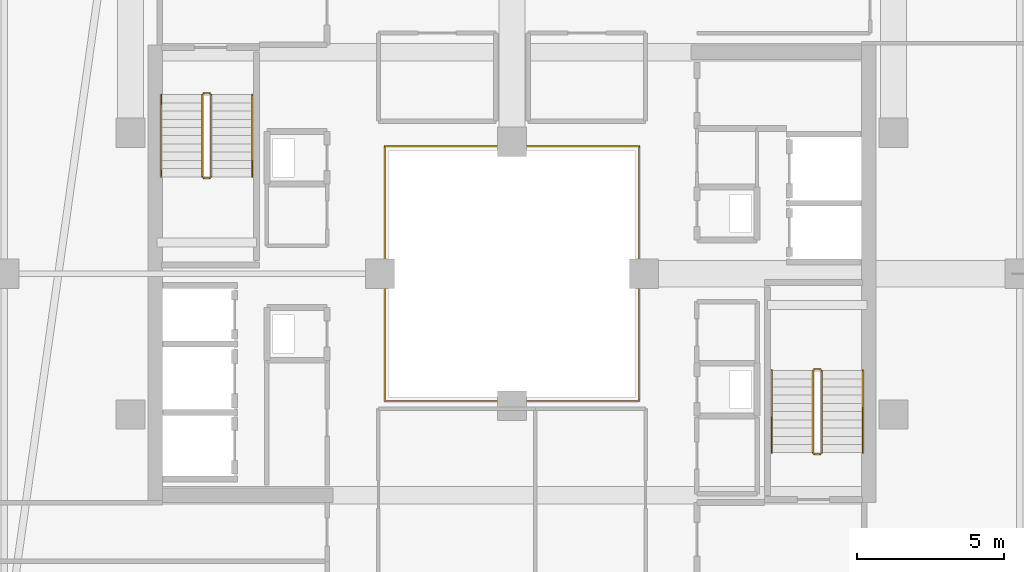
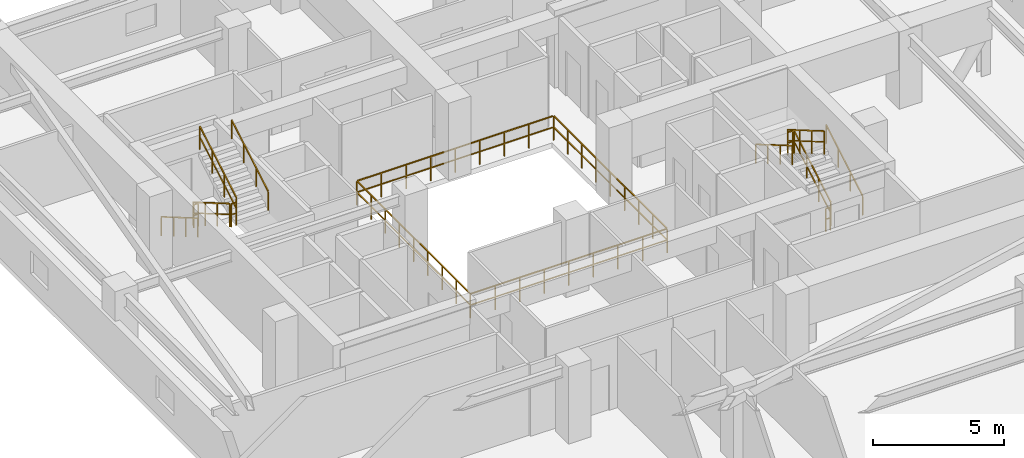
# One storey, part 33 of 34: 13 railings.
"""IFC4 building model written with IfcOpenShell, lengths in metres."""

from ifc_helpers import new_model, si_unit, direction, frame, origin, origin_2d, place, context, subcontext, project, spatial, rectangle, extrude, material, type_object, element, save


model = new_model("IFC4")

# Units and contexts
model_context = context("Model", 3, precision=1e-05, world=origin(), true_north=direction((0.0, 1.0)))
body_context = subcontext(model_context, "Body", "Model", "MODEL_VIEW")
ifc_project = project(units=[si_unit("LENGTHUNIT", "METRE"), si_unit("AREAUNIT", "SQUARE_METRE"), si_unit("VOLUMEUNIT", "CUBIC_METRE"), si_unit("PLANEANGLEUNIT", "RADIAN"), si_unit("MASSUNIT", "GRAM", prefix="KILO")], contexts=[model_context])

# Site, building, storey
site_placement = place(None, origin())
site = spatial("IfcSite", under=ifc_project, at=site_placement, CompositionType="ELEMENT")
building_placement = place(site_placement, origin())
building = spatial("IfcBuilding", under=site, at=building_placement, Name="Thornwick Lancets Civic Towers", CompositionType="ELEMENT")
storey_placement = place(building_placement, frame((0.0, 0.0, 251.10009765625)))
storey = spatial("IfcBuildingStorey", under=building, at=storey_placement, Name="L67", CompositionType="ELEMENT", Elevation=251.10009765625)

# Railings
ifc_material_1 = material(Name="Laminated glass and bronze steel S355", Category="steel")
railing_type_1 = type_object("IfcRailingType", Name="RAIL_ATRIUM_GUARD", PredefinedType="BALUSTRADE", material=ifc_material_1)
railing_1_placement = place(storey_placement, frame((84.159912109375, 22.659912109375, 0.0)))
element("IfcRailing", 1, at=railing_1_placement, inside=storey, type_object=railing_type_1, Name="L67 Tower B Central Atrium Guard Balustrade", PredefinedType="BALUSTRADE", context=body_context, shape_type="SweptSolid", body=[
    extrude(rectangle(XDim=0.048095703125, YDim=0.048095703125, at=origin_2d()), frame((0.0, 0.0, 1.1259765625), z_axis=(1.0, 0.0, 0.0), x_axis=(0.0, 1.0, 0.0)), (0.0, 0.0, 1.0), 8.64892578125),
    extrude(rectangle(XDim=0.0419921875, YDim=0.0419921875, at=origin_2d()), frame((0.03759765625, 0.0, 0.597900390625), z_axis=(1.0, 0.0, 0.0), x_axis=(0.0, 1.0, 0.0)), (0.0, 0.0, 1.0), 1.010009765625),
    extrude(rectangle(XDim=0.0419921875, YDim=0.0419921875, at=origin_2d()), frame((1.12255859375, 0.0, 0.597900390625), z_axis=(1.0, 0.0, 0.0), x_axis=(0.0, 1.0, 0.0)), (0.0, 0.0, 1.0), 1.010009765625),
    extrude(rectangle(XDim=0.0419921875, YDim=0.0419921875, at=origin_2d()), frame((2.20751953125, 0.0, 0.597900390625), z_axis=(1.0, 0.0, 0.0), x_axis=(0.0, 1.0, 0.0)), (0.0, 0.0, 1.0), 1.010009765625),
    extrude(rectangle(XDim=0.0419921875, YDim=0.0419921875, at=origin_2d()), frame((3.29248046875, 0.0, 0.597900390625), z_axis=(1.0, 0.0, 0.0), x_axis=(0.0, 1.0, 0.0)), (0.0, 0.0, 1.0), 1.010009765625),
    extrude(rectangle(XDim=0.0419921875, YDim=0.0419921875, at=origin_2d()), frame((4.377685546875, 0.0, 0.597900390625), z_axis=(1.0, 0.0, 0.0), x_axis=(0.0, 1.0, 0.0)), (0.0, 0.0, 1.0), 1.010009765625),
    extrude(rectangle(XDim=0.0419921875, YDim=0.0419921875, at=origin_2d()), frame((5.462646484375, 0.0, 0.597900390625), z_axis=(1.0, 0.0, 0.0), x_axis=(0.0, 1.0, 0.0)), (0.0, 0.0, 1.0), 1.010009765625),
    extrude(rectangle(XDim=0.0419921875, YDim=0.0419921875, at=origin_2d()), frame((6.547607421875, 0.0, 0.597900390625), z_axis=(1.0, 0.0, 0.0), x_axis=(0.0, 1.0, 0.0)), (0.0, 0.0, 1.0), 1.010009765625),
    extrude(rectangle(XDim=0.0419921875, YDim=0.0419921875, at=origin_2d()), frame((7.632568359375, 0.0, 0.597900390625), z_axis=(1.0, 0.0, 0.0), x_axis=(0.0, 1.0, 0.0)), (0.0, 0.0, 1.0), 1.010009765625),
    extrude(rectangle(XDim=0.048095703125, YDim=0.048095703125, at=origin_2d()), frame((8.68017578125, 0.03125, 1.1259765625), z_axis=(0.0, 1.0, 0.0), x_axis=(-1.0, 0.0, 0.0)), (0.0, 0.0, 1.0), 8.61767578125),
    extrude(rectangle(XDim=0.0419921875, YDim=0.0419921875, at=origin_2d()), frame((8.68017578125, 0.03759765625, 0.597900390625), z_axis=(0.0, 1.0, 0.0), x_axis=(-1.0, 0.0, 0.0)), (0.0, 0.0, 1.0), 1.010009765625),
    extrude(rectangle(XDim=0.0419921875, YDim=0.0419921875, at=origin_2d()), frame((8.68017578125, 1.12255859375, 0.597900390625), z_axis=(0.0, 1.0, 0.0), x_axis=(-1.0, 0.0, 0.0)), (0.0, 0.0, 1.0), 1.010009765625),
    extrude(rectangle(XDim=0.0419921875, YDim=0.0419921875, at=origin_2d()), frame((8.68017578125, 2.20751953125, 0.597900390625), z_axis=(0.0, 1.0, 0.0), x_axis=(-1.0, 0.0, 0.0)), (0.0, 0.0, 1.0), 1.010009765625),
    extrude(rectangle(XDim=0.0419921875, YDim=0.0419921875, at=origin_2d()), frame((8.68017578125, 3.29248046875, 0.597900390625), z_axis=(0.0, 1.0, 0.0), x_axis=(-1.0, 0.0, 0.0)), (0.0, 0.0, 1.0), 1.010009765625),
    extrude(rectangle(XDim=0.0419921875, YDim=0.0419921875, at=origin_2d()), frame((8.68017578125, 4.377685546875, 0.597900390625), z_axis=(0.0, 1.0, 0.0), x_axis=(-1.0, 0.0, 0.0)), (0.0, 0.0, 1.0), 1.010009765625),
    extrude(rectangle(XDim=0.0419921875, YDim=0.0419921875, at=origin_2d()), frame((8.68017578125, 5.462646484375, 0.597900390625), z_axis=(0.0, 1.0, 0.0), x_axis=(-1.0, 0.0, 0.0)), (0.0, 0.0, 1.0), 1.010009765625),
    extrude(rectangle(XDim=0.0419921875, YDim=0.0419921875, at=origin_2d()), frame((8.68017578125, 6.547607421875, 0.597900390625), z_axis=(0.0, 1.0, 0.0), x_axis=(-1.0, 0.0, 0.0)), (0.0, 0.0, 1.0), 1.010009765625),
    extrude(rectangle(XDim=0.0419921875, YDim=0.0419921875, at=origin_2d()), frame((8.68017578125, 7.632568359375, 0.597900390625), z_axis=(0.0, 1.0, 0.0), x_axis=(-1.0, 0.0, 0.0)), (0.0, 0.0, 1.0), 1.010009765625),
    extrude(rectangle(XDim=0.048095703125, YDim=0.048095703125, at=origin_2d()), frame((8.64892578125, 8.68017578125, 1.1259765625), z_axis=(-1.0, 0.0, 0.0), x_axis=(0.0, -1.0, 0.0)), (0.0, 0.0, 1.0), 8.61767578125),
    extrude(rectangle(XDim=0.0419921875, YDim=0.0419921875, at=origin_2d()), frame((8.642578125, 8.68017578125, 0.597900390625), z_axis=(-1.0, 0.0, 0.0), x_axis=(0.0, -1.0, 0.0)), (0.0, 0.0, 1.0), 1.010009765625),
    extrude(rectangle(XDim=0.0419921875, YDim=0.0419921875, at=origin_2d()), frame((7.5576171875, 8.68017578125, 0.597900390625), z_axis=(-1.0, 0.0, 0.0), x_axis=(0.0, -1.0, 0.0)), (0.0, 0.0, 1.0), 1.010009765625),
    extrude(rectangle(XDim=0.0419921875, YDim=0.0419921875, at=origin_2d()), frame((6.47265625, 8.68017578125, 0.597900390625), z_axis=(-1.0, 0.0, 0.0), x_axis=(0.0, -1.0, 0.0)), (0.0, 0.0, 1.0), 1.010009765625),
    extrude(rectangle(XDim=0.0419921875, YDim=0.0419921875, at=origin_2d()), frame((5.3876953125, 8.68017578125, 0.597900390625), z_axis=(-1.0, 0.0, 0.0), x_axis=(0.0, -1.0, 0.0)), (0.0, 0.0, 1.0), 1.010009765625),
    extrude(rectangle(XDim=0.0419921875, YDim=0.0419921875, at=origin_2d()), frame((4.302490234375, 8.68017578125, 0.597900390625), z_axis=(-1.0, 0.0, 0.0), x_axis=(0.0, -1.0, 0.0)), (0.0, 0.0, 1.0), 1.010009765625),
    extrude(rectangle(XDim=0.0419921875, YDim=0.0419921875, at=origin_2d()), frame((3.217529296875, 8.68017578125, 0.597900390625), z_axis=(-1.0, 0.0, 0.0), x_axis=(0.0, -1.0, 0.0)), (0.0, 0.0, 1.0), 1.010009765625),
    extrude(rectangle(XDim=0.0419921875, YDim=0.0419921875, at=origin_2d()), frame((2.132568359375, 8.68017578125, 0.597900390625), z_axis=(-1.0, 0.0, 0.0), x_axis=(0.0, -1.0, 0.0)), (0.0, 0.0, 1.0), 1.010009765625),
    extrude(rectangle(XDim=0.0419921875, YDim=0.0419921875, at=origin_2d()), frame((1.047607421875, 8.68017578125, 0.597900390625), z_axis=(-1.0, 0.0, 0.0), x_axis=(0.0, -1.0, 0.0)), (0.0, 0.0, 1.0), 1.010009765625),
    extrude(rectangle(XDim=0.048095703125, YDim=0.048095703125, at=origin_2d()), frame((0.0, 8.64892578125, 1.1259765625), z_axis=(0.0, -1.0, 0.0), x_axis=(1.0, 0.0, 0.0)), (0.0, 0.0, 1.0), 8.64892578125),
    extrude(rectangle(XDim=0.0419921875, YDim=0.0419921875, at=origin_2d()), frame((0.0, 8.642578125, 0.597900390625), z_axis=(0.0, -1.0, 0.0), x_axis=(1.0, 0.0, 0.0)), (0.0, 0.0, 1.0), 1.010009765625),
    extrude(rectangle(XDim=0.0419921875, YDim=0.0419921875, at=origin_2d()), frame((0.0, 7.5576171875, 0.597900390625), z_axis=(0.0, -1.0, 0.0), x_axis=(1.0, 0.0, 0.0)), (0.0, 0.0, 1.0), 1.010009765625),
    extrude(rectangle(XDim=0.0419921875, YDim=0.0419921875, at=origin_2d()), frame((0.0, 6.47265625, 0.597900390625), z_axis=(0.0, -1.0, 0.0), x_axis=(1.0, 0.0, 0.0)), (0.0, 0.0, 1.0), 1.010009765625),
    extrude(rectangle(XDim=0.0419921875, YDim=0.0419921875, at=origin_2d()), frame((0.0, 5.3876953125, 0.597900390625), z_axis=(0.0, -1.0, 0.0), x_axis=(1.0, 0.0, 0.0)), (0.0, 0.0, 1.0), 1.010009765625),
    extrude(rectangle(XDim=0.0419921875, YDim=0.0419921875, at=origin_2d()), frame((0.0, 4.302490234375, 0.597900390625), z_axis=(0.0, -1.0, 0.0), x_axis=(1.0, 0.0, 0.0)), (0.0, 0.0, 1.0), 1.010009765625),
    extrude(rectangle(XDim=0.0419921875, YDim=0.0419921875, at=origin_2d()), frame((0.0, 3.217529296875, 0.597900390625), z_axis=(0.0, -1.0, 0.0), x_axis=(1.0, 0.0, 0.0)), (0.0, 0.0, 1.0), 1.010009765625),
    extrude(rectangle(XDim=0.0419921875, YDim=0.0419921875, at=origin_2d()), frame((0.0, 2.132568359375, 0.597900390625), z_axis=(0.0, -1.0, 0.0), x_axis=(1.0, 0.0, 0.0)), (0.0, 0.0, 1.0), 1.010009765625),
    extrude(rectangle(XDim=0.0419921875, YDim=0.0419921875, at=origin_2d()), frame((0.0, 1.047607421875, 0.597900390625), z_axis=(0.0, -1.0, 0.0), x_axis=(1.0, 0.0, 0.0)), (0.0, 0.0, 1.0), 1.010009765625),
    extrude(rectangle(XDim=0.0419921875, YDim=0.0419921875, at=origin_2d()), origin(), (0.0, 0.0, 1.0), 1.095703125),
    extrude(rectangle(XDim=0.0419921875, YDim=0.0419921875, at=origin_2d()), frame((1.0849609375, 0.0, 0.0)), (0.0, 0.0, 1.0), 1.095703125),
    extrude(rectangle(XDim=0.0419921875, YDim=0.0419921875, at=origin_2d()), frame((2.169921875, 0.0, 0.0)), (0.0, 0.0, 1.0), 1.095703125),
    extrude(rectangle(XDim=0.0419921875, YDim=0.0419921875, at=origin_2d()), frame((3.255126953125, 0.0, 0.0)), (0.0, 0.0, 1.0), 1.095703125),
    extrude(rectangle(XDim=0.0419921875, YDim=0.0419921875, at=origin_2d()), frame((4.340087890625, 0.0, 0.0)), (0.0, 0.0, 1.0), 1.095703125),
    extrude(rectangle(XDim=0.0419921875, YDim=0.0419921875, at=origin_2d()), frame((5.425048828125, 0.0, 0.0)), (0.0, 0.0, 1.0), 1.095703125),
    extrude(rectangle(XDim=0.0419921875, YDim=0.0419921875, at=origin_2d()), frame((6.51025390625, 0.0, 0.0)), (0.0, 0.0, 1.0), 1.095703125),
    extrude(rectangle(XDim=0.0419921875, YDim=0.0419921875, at=origin_2d()), frame((7.59521484375, 0.0, 0.0)), (0.0, 0.0, 1.0), 1.095703125),
    extrude(rectangle(XDim=0.0419921875, YDim=0.0419921875, at=origin_2d()), frame((8.68017578125, 0.0, 0.0)), (0.0, 0.0, 1.0), 1.095703125),
    extrude(rectangle(XDim=0.0419921875, YDim=0.0419921875, at=origin_2d()), frame((8.68017578125, 1.0849609375, 0.0)), (0.0, 0.0, 1.0), 1.095703125),
    extrude(rectangle(XDim=0.0419921875, YDim=0.0419921875, at=origin_2d()), frame((8.68017578125, 2.169921875, 0.0)), (0.0, 0.0, 1.0), 1.095703125),
    extrude(rectangle(XDim=0.0419921875, YDim=0.0419921875, at=origin_2d()), frame((8.68017578125, 3.255126953125, 0.0)), (0.0, 0.0, 1.0), 1.095703125),
    extrude(rectangle(XDim=0.0419921875, YDim=0.0419921875, at=origin_2d()), frame((8.68017578125, 4.340087890625, 0.0)), (0.0, 0.0, 1.0), 1.095703125),
    extrude(rectangle(XDim=0.0419921875, YDim=0.0419921875, at=origin_2d()), frame((8.68017578125, 5.425048828125, 0.0)), (0.0, 0.0, 1.0), 1.095703125),
    extrude(rectangle(XDim=0.0419921875, YDim=0.0419921875, at=origin_2d()), frame((8.68017578125, 6.51025390625, 0.0)), (0.0, 0.0, 1.0), 1.095703125),
    extrude(rectangle(XDim=0.0419921875, YDim=0.0419921875, at=origin_2d()), frame((8.68017578125, 7.59521484375, 0.0)), (0.0, 0.0, 1.0), 1.095703125),
    extrude(rectangle(XDim=0.0419921875, YDim=0.0419921875, at=origin_2d()), frame((8.68017578125, 8.68017578125, 0.0)), (0.0, 0.0, 1.0), 1.095703125),
    extrude(rectangle(XDim=0.0419921875, YDim=0.0419921875, at=origin_2d()), frame((7.59521484375, 8.68017578125, 0.0)), (0.0, 0.0, 1.0), 1.095703125),
    extrude(rectangle(XDim=0.0419921875, YDim=0.0419921875, at=origin_2d()), frame((6.51025390625, 8.68017578125, 0.0)), (0.0, 0.0, 1.0), 1.095703125),
    extrude(rectangle(XDim=0.0419921875, YDim=0.0419921875, at=origin_2d()), frame((5.425048828125, 8.68017578125, 0.0)), (0.0, 0.0, 1.0), 1.095703125),
    extrude(rectangle(XDim=0.0419921875, YDim=0.0419921875, at=origin_2d()), frame((4.340087890625, 8.68017578125, 0.0)), (0.0, 0.0, 1.0), 1.095703125),
    extrude(rectangle(XDim=0.0419921875, YDim=0.0419921875, at=origin_2d()), frame((3.255126953125, 8.68017578125, 0.0)), (0.0, 0.0, 1.0), 1.095703125),
    extrude(rectangle(XDim=0.0419921875, YDim=0.0419921875, at=origin_2d()), frame((2.169921875, 8.68017578125, 0.0)), (0.0, 0.0, 1.0), 1.095703125),
    extrude(rectangle(XDim=0.0419921875, YDim=0.0419921875, at=origin_2d()), frame((1.0849609375, 8.68017578125, 0.0)), (0.0, 0.0, 1.0), 1.095703125),
    extrude(rectangle(XDim=0.0419921875, YDim=0.0419921875, at=origin_2d()), frame((0.0, 8.68017578125, 0.0)), (0.0, 0.0, 1.0), 1.095703125),
    extrude(rectangle(XDim=0.0419921875, YDim=0.0419921875, at=origin_2d()), frame((0.0, 7.59521484375, 0.0)), (0.0, 0.0, 1.0), 1.095703125),
    extrude(rectangle(XDim=0.0419921875, YDim=0.0419921875, at=origin_2d()), frame((0.0, 6.51025390625, 0.0)), (0.0, 0.0, 1.0), 1.095703125),
    extrude(rectangle(XDim=0.0419921875, YDim=0.0419921875, at=origin_2d()), frame((0.0, 5.425048828125, 0.0)), (0.0, 0.0, 1.0), 1.095703125),
    extrude(rectangle(XDim=0.0419921875, YDim=0.0419921875, at=origin_2d()), frame((0.0, 4.340087890625, 0.0)), (0.0, 0.0, 1.0), 1.095703125),
    extrude(rectangle(XDim=0.0419921875, YDim=0.0419921875, at=origin_2d()), frame((0.0, 3.255126953125, 0.0)), (0.0, 0.0, 1.0), 1.095703125),
    extrude(rectangle(XDim=0.0419921875, YDim=0.0419921875, at=origin_2d()), frame((0.0, 2.169921875, 0.0)), (0.0, 0.0, 1.0), 1.095703125),
    extrude(rectangle(XDim=0.0419921875, YDim=0.0419921875, at=origin_2d()), frame((0.0, 1.0849609375, 0.0)), (0.0, 0.0, 1.0), 1.095703125),
])
ifc_material_2 = material(Name="Brushed stainless steel S355", Category="steel")
railing_type_2 = type_object("IfcRailingType", Name="RAIL_HANDRAIL", PredefinedType="HANDRAIL", material=ifc_material_2)
railing_2_placement = place(storey_placement, frame((100.449951171875, 20.89990234375, 0.16357421875)))
element("IfcRailing", 2, at=railing_2_placement, inside=storey, type_object=railing_type_2, Name="L67 ST-B1 stair handrail 1", PredefinedType="HANDRAIL", context=body_context, shape_type="SweptSolid", body=[
    extrude(rectangle(XDim=0.048095703125, YDim=0.048095703125, at=origin_2d()), frame((0.0, 0.0, 0.8857421875), z_axis=(0.0, 0.863393664356, 0.504530851732), x_axis=(-1.0, 0.0, 0.0)), (0.0, 0.0, 1.0), 3.2431640625),
    extrude(rectangle(XDim=0.0419921875, YDim=0.0419921875, at=origin_2d()), origin(), (0.0, 0.0, 1.0), 0.855712890625),
    extrude(rectangle(XDim=0.0419921875, YDim=0.0419921875, at=origin_2d()), frame((0.0, 0.933349609375, 0.54541015625)), (0.0, 0.0, 1.0), 0.855712890625),
    extrude(rectangle(XDim=0.0419921875, YDim=0.0419921875, at=origin_2d()), frame((0.0, 1.86669921875, 1.0908203125)), (0.0, 0.0, 1.0), 0.855712890625),
    extrude(rectangle(XDim=0.0419921875, YDim=0.0419921875, at=origin_2d()), frame((0.0, 2.800048828125, 1.63623046875)), (0.0, 0.0, 1.0), 0.855712890625),
])
for number, where, name in (
    (3, (97.35009765625, 23.699951171875, 1.963623046875), "L67 ST-B1 stair handrail 2"),
    (4, (76.550048828125, 33.10009765625, 0.16357421875), "L67 ST-B2 stair handrail 1"),
):
    element("IfcRailing", number, at=place(storey_placement, frame(where)), inside=storey, type_object=railing_type_2, Name=name, PredefinedType="HANDRAIL", context=body_context, shape_type="SweptSolid", body=[
        extrude(rectangle(XDim=0.048095703125, YDim=0.048095703125, at=origin_2d()), frame((0.0, 0.0, 0.8857421875), z_axis=(0.0, -0.863393664356, 0.504530851732), x_axis=(1.0, 0.0, 0.0)), (0.0, 0.0, 1.0), 3.2431640625),
        extrude(rectangle(XDim=0.0419921875, YDim=0.0419921875, at=origin_2d()), origin(), (0.0, 0.0, 1.0), 0.855712890625),
        extrude(rectangle(XDim=0.0419921875, YDim=0.0419921875, at=origin_2d()), frame((0.0, -0.933349609375, 0.54541015625)), (0.0, 0.0, 1.0), 0.855712890625),
        extrude(rectangle(XDim=0.0419921875, YDim=0.0419921875, at=origin_2d()), frame((0.0, -1.86669921875, 1.0908203125)), (0.0, 0.0, 1.0), 0.855712890625),
        extrude(rectangle(XDim=0.0419921875, YDim=0.0419921875, at=origin_2d()), frame((0.0, -2.800048828125, 1.63623046875)), (0.0, 0.0, 1.0), 0.855712890625),
    ])
railing_3_placement = place(storey_placement, frame((79.64990234375, 30.300048828125, 1.963623046875)))
element("IfcRailing", 5, at=railing_3_placement, inside=storey, type_object=railing_type_2, Name="L67 ST-B2 stair handrail 2", PredefinedType="HANDRAIL", context=body_context, shape_type="SweptSolid", body=[
    extrude(rectangle(XDim=0.048095703125, YDim=0.048095703125, at=origin_2d()), frame((0.0, 0.0, 0.8857421875), z_axis=(0.0, 0.863393664356, 0.504530851732), x_axis=(-1.0, 0.0, 0.0)), (0.0, 0.0, 1.0), 3.2431640625),
    extrude(rectangle(XDim=0.0419921875, YDim=0.0419921875, at=origin_2d()), origin(), (0.0, 0.0, 1.0), 0.855712890625),
    extrude(rectangle(XDim=0.0419921875, YDim=0.0419921875, at=origin_2d()), frame((0.0, 0.933349609375, 0.54541015625)), (0.0, 0.0, 1.0), 0.855712890625),
    extrude(rectangle(XDim=0.0419921875, YDim=0.0419921875, at=origin_2d()), frame((0.0, 1.86669921875, 1.0908203125)), (0.0, 0.0, 1.0), 0.855712890625),
    extrude(rectangle(XDim=0.0419921875, YDim=0.0419921875, at=origin_2d()), frame((0.0, 2.800048828125, 1.63623046875)), (0.0, 0.0, 1.0), 0.855712890625),
])
ifc_material_3 = material(Name="Steel S355JR", Category="steel")
railing_type_3 = type_object("IfcRailingType", Name="RAIL_STAIR_GUARD", PredefinedType="GUARDRAIL", material=ifc_material_3)
railing_4_placement = place(storey_placement, frame((99.050048828125, 20.89990234375, 0.16357421875)))
element("IfcRailing", 6, at=railing_4_placement, inside=storey, type_object=railing_type_3, Name="L67 ST-B1 stair guard 1", PredefinedType="GUARDRAIL", context=body_context, shape_type="SweptSolid", body=[
    extrude(rectangle(XDim=0.048095703125, YDim=0.048095703125, at=origin_2d()), frame((0.0, 0.0, 1.076171875), z_axis=(0.0, 0.863393664356, 0.504530851732), x_axis=(-1.0, 0.0, 0.0)), (0.0, 0.0, 1.0), 3.2431640625),
    extrude(rectangle(XDim=0.0419921875, YDim=0.0419921875, at=origin_2d()), frame((0.0, 0.032470703125, 0.591064453125), z_axis=(0.0, 0.863393664356, 0.504530851732), x_axis=(-1.0, 0.0, 0.0)), (0.0, 0.0, 1.0), 1.006103515625),
    extrude(rectangle(XDim=0.0419921875, YDim=0.0419921875, at=origin_2d()), frame((0.0, 0.9658203125, 1.136474609375), z_axis=(0.0, 0.863393664356, 0.504530851732), x_axis=(-1.0, 0.0, 0.0)), (0.0, 0.0, 1.0), 1.006103515625),
    extrude(rectangle(XDim=0.0419921875, YDim=0.0419921875, at=origin_2d()), frame((0.0, 1.899169921875, 1.681884765625), z_axis=(0.0, 0.863393664356, 0.504530851732), x_axis=(-1.0, 0.0, 0.0)), (0.0, 0.0, 1.0), 1.006103515625),
    extrude(rectangle(XDim=0.0419921875, YDim=0.0419921875, at=origin_2d()), origin(), (0.0, 0.0, 1.0), 1.0458984375),
    extrude(rectangle(XDim=0.0419921875, YDim=0.0419921875, at=origin_2d()), frame((0.0, 0.933349609375, 0.54541015625)), (0.0, 0.0, 1.0), 1.0458984375),
    extrude(rectangle(XDim=0.0419921875, YDim=0.0419921875, at=origin_2d()), frame((0.0, 1.86669921875, 1.0908203125)), (0.0, 0.0, 1.0), 1.0458984375),
    extrude(rectangle(XDim=0.0419921875, YDim=0.0419921875, at=origin_2d()), frame((0.0, 2.800048828125, 1.63623046875)), (0.0, 0.0, 1.0), 1.0458984375),
])
railing_5_placement = place(storey_placement, frame((99.0, 23.75, 1.7998046875)))
element("IfcRailing", 7, at=railing_5_placement, inside=storey, type_object=railing_type_3, Name="L67 ST-B1 stair guard 2", PredefinedType="GUARDRAIL", context=body_context, shape_type="SweptSolid", body=[
    extrude(rectangle(XDim=0.048095703125, YDim=0.048095703125, at=origin_2d()), frame((0.0, 0.0, 1.076171875), z_axis=(-1.0, 0.0, 0.0), x_axis=(0.0, -1.0, 0.0)), (0.0, 0.0, 1.0), 0.199951171875),
    extrude(rectangle(XDim=0.0419921875, YDim=0.0419921875, at=origin_2d()), frame((-0.03759765625, 0.0, 0.572021484375), z_axis=(-1.0, 0.0, 0.0), x_axis=(0.0, -1.0, 0.0)), (0.0, 0.0, 1.0), 0.125),
    extrude(rectangle(XDim=0.0419921875, YDim=0.0419921875, at=origin_2d()), origin(), (0.0, 0.0, 1.0), 1.0458984375),
    extrude(rectangle(XDim=0.0419921875, YDim=0.0419921875, at=origin_2d()), frame((-0.199951171875, 0.0, 0.0)), (0.0, 0.0, 1.0), 1.0458984375),
])
railing_6_placement = place(storey_placement, frame((98.75, 23.699951171875, 1.963623046875)))
element("IfcRailing", 8, at=railing_6_placement, inside=storey, type_object=railing_type_3, Name="L67 ST-B1 stair guard 3", PredefinedType="GUARDRAIL", context=body_context, shape_type="SweptSolid", body=[
    extrude(rectangle(XDim=0.048095703125, YDim=0.048095703125, at=origin_2d()), frame((0.0, 0.0, 1.076171875), z_axis=(0.0, -0.863393664356, 0.504530851732), x_axis=(1.0, 0.0, 0.0)), (0.0, 0.0, 1.0), 3.2431640625),
    extrude(rectangle(XDim=0.0419921875, YDim=0.0419921875, at=origin_2d()), frame((0.0, -0.032470703125, 0.591064453125), z_axis=(0.0, -0.863393664356, 0.504530851732), x_axis=(1.0, 0.0, 0.0)), (0.0, 0.0, 1.0), 1.006103515625),
    extrude(rectangle(XDim=0.0419921875, YDim=0.0419921875, at=origin_2d()), frame((0.0, -0.9658203125, 1.136474609375), z_axis=(0.0, -0.863393664356, 0.504530851732), x_axis=(1.0, 0.0, 0.0)), (0.0, 0.0, 1.0), 1.006103515625),
    extrude(rectangle(XDim=0.0419921875, YDim=0.0419921875, at=origin_2d()), frame((0.0, -1.899169921875, 1.681884765625), z_axis=(0.0, -0.863393664356, 0.504530851732), x_axis=(1.0, 0.0, 0.0)), (0.0, 0.0, 1.0), 1.006103515625),
    extrude(rectangle(XDim=0.0419921875, YDim=0.0419921875, at=origin_2d()), origin(), (0.0, 0.0, 1.0), 1.0458984375),
    extrude(rectangle(XDim=0.0419921875, YDim=0.0419921875, at=origin_2d()), frame((0.0, -0.933349609375, 0.54541015625)), (0.0, 0.0, 1.0), 1.0458984375),
    extrude(rectangle(XDim=0.0419921875, YDim=0.0419921875, at=origin_2d()), frame((0.0, -1.86669921875, 1.0908203125)), (0.0, 0.0, 1.0), 1.0458984375),
    extrude(rectangle(XDim=0.0419921875, YDim=0.0419921875, at=origin_2d()), frame((0.0, -2.800048828125, 1.63623046875)), (0.0, 0.0, 1.0), 1.0458984375),
])
railing_7_placement = place(storey_placement, frame((99.0, 20.85009765625, 0.0)))
element("IfcRailing", 9, at=railing_7_placement, inside=storey, type_object=railing_type_3, Name="L67 ST-B1 stair guard 4", PredefinedType="GUARDRAIL", context=body_context, shape_type="SweptSolid", body=[
    extrude(rectangle(XDim=0.048095703125, YDim=0.048095703125, at=origin_2d()), frame((0.0, 0.0, 1.076171875), z_axis=(-1.0, 0.0, 0.0), x_axis=(0.0, -1.0, 0.0)), (0.0, 0.0, 1.0), 0.199951171875),
    extrude(rectangle(XDim=0.0419921875, YDim=0.0419921875, at=origin_2d()), frame((-0.03759765625, 0.0, 0.572021484375), z_axis=(-1.0, 0.0, 0.0), x_axis=(0.0, -1.0, 0.0)), (0.0, 0.0, 1.0), 0.125),
    extrude(rectangle(XDim=0.0419921875, YDim=0.0419921875, at=origin_2d()), origin(), (0.0, 0.0, 1.0), 1.0458984375),
    extrude(rectangle(XDim=0.0419921875, YDim=0.0419921875, at=origin_2d()), frame((-0.199951171875, 0.0, 0.0)), (0.0, 0.0, 1.0), 1.0458984375),
])
railing_8_placement = place(storey_placement, frame((77.949951171875, 33.10009765625, 0.16357421875)))
element("IfcRailing", 10, at=railing_8_placement, inside=storey, type_object=railing_type_3, Name="L67 ST-B2 stair guard 1", PredefinedType="GUARDRAIL", context=body_context, shape_type="SweptSolid", body=[
    extrude(rectangle(XDim=0.048095703125, YDim=0.048095703125, at=origin_2d()), frame((0.0, 0.0, 1.076171875), z_axis=(0.0, -0.863393664356, 0.504530851732), x_axis=(1.0, 0.0, 0.0)), (0.0, 0.0, 1.0), 3.2431640625),
    extrude(rectangle(XDim=0.0419921875, YDim=0.0419921875, at=origin_2d()), frame((0.0, -0.032470703125, 0.591064453125), z_axis=(0.0, -0.863393664356, 0.504530851732), x_axis=(1.0, 0.0, 0.0)), (0.0, 0.0, 1.0), 1.006103515625),
    extrude(rectangle(XDim=0.0419921875, YDim=0.0419921875, at=origin_2d()), frame((0.0, -0.9658203125, 1.136474609375), z_axis=(0.0, -0.863393664356, 0.504530851732), x_axis=(1.0, 0.0, 0.0)), (0.0, 0.0, 1.0), 1.006103515625),
    extrude(rectangle(XDim=0.0419921875, YDim=0.0419921875, at=origin_2d()), frame((0.0, -1.899169921875, 1.681884765625), z_axis=(0.0, -0.863393664356, 0.504530851732), x_axis=(1.0, 0.0, 0.0)), (0.0, 0.0, 1.0), 1.006103515625),
    extrude(rectangle(XDim=0.0419921875, YDim=0.0419921875, at=origin_2d()), origin(), (0.0, 0.0, 1.0), 1.0458984375),
    extrude(rectangle(XDim=0.0419921875, YDim=0.0419921875, at=origin_2d()), frame((0.0, -0.933349609375, 0.54541015625)), (0.0, 0.0, 1.0), 1.0458984375),
    extrude(rectangle(XDim=0.0419921875, YDim=0.0419921875, at=origin_2d()), frame((0.0, -1.86669921875, 1.0908203125)), (0.0, 0.0, 1.0), 1.0458984375),
    extrude(rectangle(XDim=0.0419921875, YDim=0.0419921875, at=origin_2d()), frame((0.0, -2.800048828125, 1.63623046875)), (0.0, 0.0, 1.0), 1.0458984375),
])
railing_9_placement = place(storey_placement, frame((78.0, 30.25, 1.7998046875)))
element("IfcRailing", 11, at=railing_9_placement, inside=storey, type_object=railing_type_3, Name="L67 ST-B2 stair guard 2", PredefinedType="GUARDRAIL", context=body_context, shape_type="SweptSolid", body=[
    extrude(rectangle(XDim=0.048095703125, YDim=0.048095703125, at=origin_2d()), frame((0.0, 0.0, 1.076171875), z_axis=(1.0, 0.0, 0.0), x_axis=(0.0, 1.0, 0.0)), (0.0, 0.0, 1.0), 0.199951171875),
    extrude(rectangle(XDim=0.0419921875, YDim=0.0419921875, at=origin_2d()), frame((0.03759765625, 0.0, 0.572021484375), z_axis=(1.0, 0.0, 0.0), x_axis=(0.0, 1.0, 0.0)), (0.0, 0.0, 1.0), 0.125),
    extrude(rectangle(XDim=0.0419921875, YDim=0.0419921875, at=origin_2d()), origin(), (0.0, 0.0, 1.0), 1.0458984375),
    extrude(rectangle(XDim=0.0419921875, YDim=0.0419921875, at=origin_2d()), frame((0.199951171875, 0.0, 0.0)), (0.0, 0.0, 1.0), 1.0458984375),
])
railing_10_placement = place(storey_placement, frame((78.25, 30.300048828125, 1.963623046875)))
element("IfcRailing", 12, at=railing_10_placement, inside=storey, type_object=railing_type_3, Name="L67 ST-B2 stair guard 3", PredefinedType="GUARDRAIL", context=body_context, shape_type="SweptSolid", body=[
    extrude(rectangle(XDim=0.048095703125, YDim=0.048095703125, at=origin_2d()), frame((0.0, 0.0, 1.076171875), z_axis=(0.0, 0.863393664356, 0.504530851732), x_axis=(-1.0, 0.0, 0.0)), (0.0, 0.0, 1.0), 3.2431640625),
    extrude(rectangle(XDim=0.0419921875, YDim=0.0419921875, at=origin_2d()), frame((0.0, 0.032470703125, 0.591064453125), z_axis=(0.0, 0.863393664356, 0.504530851732), x_axis=(-1.0, 0.0, 0.0)), (0.0, 0.0, 1.0), 1.006103515625),
    extrude(rectangle(XDim=0.0419921875, YDim=0.0419921875, at=origin_2d()), frame((0.0, 0.9658203125, 1.136474609375), z_axis=(0.0, 0.863393664356, 0.504530851732), x_axis=(-1.0, 0.0, 0.0)), (0.0, 0.0, 1.0), 1.006103515625),
    extrude(rectangle(XDim=0.0419921875, YDim=0.0419921875, at=origin_2d()), frame((0.0, 1.899169921875, 1.681884765625), z_axis=(0.0, 0.863393664356, 0.504530851732), x_axis=(-1.0, 0.0, 0.0)), (0.0, 0.0, 1.0), 1.006103515625),
    extrude(rectangle(XDim=0.0419921875, YDim=0.0419921875, at=origin_2d()), origin(), (0.0, 0.0, 1.0), 1.0458984375),
    extrude(rectangle(XDim=0.0419921875, YDim=0.0419921875, at=origin_2d()), frame((0.0, 0.933349609375, 0.54541015625)), (0.0, 0.0, 1.0), 1.0458984375),
    extrude(rectangle(XDim=0.0419921875, YDim=0.0419921875, at=origin_2d()), frame((0.0, 1.86669921875, 1.0908203125)), (0.0, 0.0, 1.0), 1.0458984375),
    extrude(rectangle(XDim=0.0419921875, YDim=0.0419921875, at=origin_2d()), frame((0.0, 2.800048828125, 1.63623046875)), (0.0, 0.0, 1.0), 1.0458984375),
])
railing_11_placement = place(storey_placement, frame((78.0, 33.14990234375, 0.0)))
element("IfcRailing", 13, at=railing_11_placement, inside=storey, type_object=railing_type_3, Name="L67 ST-B2 stair guard 4", PredefinedType="GUARDRAIL", context=body_context, shape_type="SweptSolid", body=[
    extrude(rectangle(XDim=0.048095703125, YDim=0.048095703125, at=origin_2d()), frame((0.0, 0.0, 1.076171875), z_axis=(1.0, 0.0, 0.0), x_axis=(0.0, 1.0, 0.0)), (0.0, 0.0, 1.0), 0.199951171875),
    extrude(rectangle(XDim=0.0419921875, YDim=0.0419921875, at=origin_2d()), frame((0.03759765625, 0.0, 0.572021484375), z_axis=(1.0, 0.0, 0.0), x_axis=(0.0, 1.0, 0.0)), (0.0, 0.0, 1.0), 0.125),
    extrude(rectangle(XDim=0.0419921875, YDim=0.0419921875, at=origin_2d()), origin(), (0.0, 0.0, 1.0), 1.0458984375),
    extrude(rectangle(XDim=0.0419921875, YDim=0.0419921875, at=origin_2d()), frame((0.199951171875, 0.0, 0.0)), (0.0, 0.0, 1.0), 1.0458984375),
])

save(model, "model.ifc")
